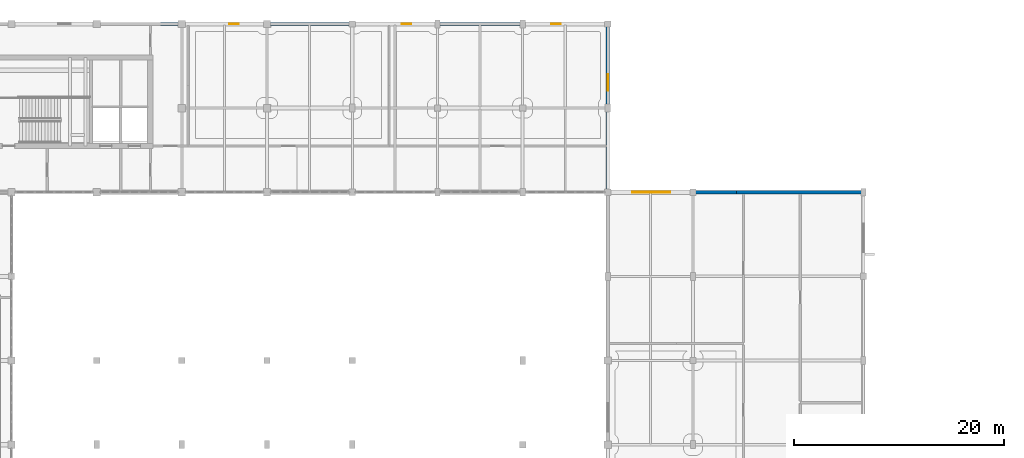
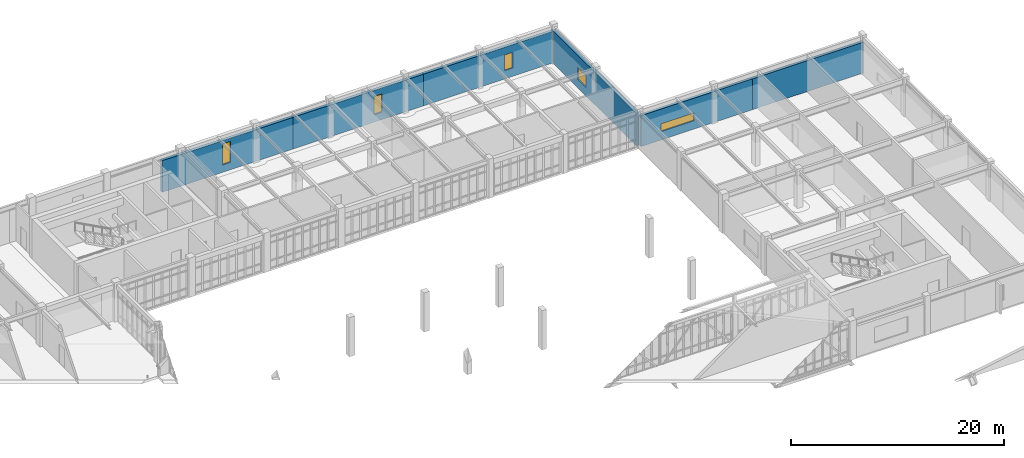
# One storey, part 54 of 67: 6 walls, 5 windows, 5 openings.
"""IFC4 building model written with IfcOpenShell, lengths in metres."""

from ifc_helpers import new_model, si_unit, direction, frame, frame_2d, origin, place, context, subcontext, project, spatial, rectangle, extrude, material, layer, layer_set, type_object, element, fill, save


model = new_model("IFC4")

# Units and contexts
model_context = context("Model", 3, precision=1e-05, world=origin(), true_north=direction((0.0, 1.0)))
body_context = subcontext(model_context, "Body", "Model", "MODEL_VIEW")
ifc_project = project(units=[si_unit("LENGTHUNIT", "METRE"), si_unit("AREAUNIT", "SQUARE_METRE"), si_unit("VOLUMEUNIT", "CUBIC_METRE"), si_unit("PLANEANGLEUNIT", "RADIAN"), si_unit("MASSUNIT", "GRAM", prefix="KILO")], contexts=[model_context])

# Site, building, storey
site_placement = place(None, origin())
site = spatial("IfcSite", under=ifc_project, at=site_placement, CompositionType="ELEMENT")
building_placement = place(site_placement, origin())
building = spatial("IfcBuilding", under=site, at=building_placement, Name="Tarnveldt Square Police Headquarters", CompositionType="ELEMENT")
storey_placement = place(building_placement, frame((0.0, 0.0, 10.199951171875)))
storey = spatial("IfcBuildingStorey", under=building, at=storey_placement, Name="L02", CompositionType="ELEMENT", Elevation=10.199951171875)

# Wall
ifc_material_1 = material(Name="Concrete 40 MPa", Category="concrete")
ifc_layer = layer(ifc_material_1, 0.320068359375)
ifc_layer_set = layer_set([ifc_layer], Name="Concrete 40 MPa")
wall_type = type_object("IfcWallType", Name="WL-EXT-BH320", PredefinedType="SOLIDWALL", material=ifc_layer_set)
wall_1_placement = place(storey_placement, frame((129.60009765625, 96.0, 0.0), z_axis=(0.0, 0.0, 1.0), x_axis=(-1.0, 0.0, 0.0)))
element("IfcWall", 1, at=wall_1_placement, inside=storey, type_object=wall_type, Name="L02 Brutalist Exterior Wall 0126", PredefinedType="SOLIDWALL", context=body_context, shape_type="SweptSolid", body=[
    extrude(rectangle(XDim=12.06005859375, YDim=0.320068359375, at=frame_2d((6.030029296875, 0.0))), origin(), (0.0, 0.0, 1.0), 3.5439453125),
])

# Wall, opening, window
wall_2_placement = place(storey_placement, frame((117.5400390625, 96.0, 0.0), z_axis=(0.0, 0.0, 1.0), x_axis=(-1.0, 0.0, 0.0)))
wall_2 = element("IfcWall", 2, at=wall_2_placement, inside=storey, type_object=wall_type, Name="L02 Brutalist Exterior Wall 0127", PredefinedType="SOLIDWALL", context=body_context, shape_type="SweptSolid", body=[
    extrude(rectangle(XDim=12.06005859375, YDim=0.320068359375, at=frame_2d((6.030029296875, 0.0))), origin(), (0.0, 0.0, 1.0), 3.5439453125),
])
opening_1_placement = place(wall_2_placement, frame((6.300048828125, 0.0, 0.949951171875)))
opening_1 = element("IfcOpeningElement", 3, at=opening_1_placement, cuts=wall_2, Name="Opening W23", PredefinedType="OPENING", context=body_context, shape_type="SweptSolid", body=[
    extrude(rectangle(XDim=3.60009765625, YDim=0.89990234375, at=frame_2d((1.800048828125, 0.449951171875))), frame((0.0, 0.169921875, 0.0), z_axis=(0.0, -1.0, 0.0), x_axis=(1.0, 0.0, 0.0)), (0.0, 0.0, 1.0), 0.340087890625),
])
ifc_material_2 = material(Name="Triple-glazed low-e laminated vision glass", Category="glass")
window_type_1 = type_object("IfcWindowType", Name="WIN-CLR-360x090", PartitioningType="TRIPLE_PANEL_VERTICAL", PredefinedType="WINDOW", material=ifc_material_2)
window_1_placement = place(opening_1_placement, origin())
window_1 = element("IfcWindow", 4, at=window_1_placement, inside=storey, type_object=window_type_1, Name="L02 Deep-Reveal Brutalist Window 0047", OverallHeight=0.89990234375, OverallWidth=3.60009765625, PartitioningType="TRIPLE_PANEL_VERTICAL", PredefinedType="WINDOW", context=body_context, shape_type="SweptSolid", body=[
    extrude(rectangle(XDim=3.60009765625, YDim=0.89990234375, at=frame_2d((1.800048828125, 0.449951171875))), frame((0.0, 0.030029296875, 0.0), z_axis=(0.0, -1.0, 0.0), x_axis=(1.0, 0.0, 0.0)), (0.0, 0.0, 1.0), 0.06005859375),
])
fill(opening_1, window_1)

wall_3_placement = place(storey_placement, frame((105.300048828125, 96.179931640625, 0.0), z_axis=(0.0, 0.0, 1.0), x_axis=(0.0, 1.0, 0.0)))
wall_3 = element("IfcWall", 5, at=wall_3_placement, inside=storey, type_object=wall_type, Name="L02 Brutalist Exterior Wall 0128", PredefinedType="SOLIDWALL", context=body_context, shape_type="SweptSolid", body=[
    extrude(rectangle(XDim=15.820068359375, YDim=0.320068359375, at=frame_2d((7.91015625, 0.0))), origin(), (0.0, 0.0, 1.0), 3.73193359375),
])
opening_2_placement = place(wall_3_placement, frame((9.449951171875, 0.0, 0.949951171875)))
opening_2 = element("IfcOpeningElement", 6, at=opening_2_placement, cuts=wall_3, Name="Opening W24", PredefinedType="OPENING", context=body_context, shape_type="SweptSolid", body=[
    extrude(rectangle(XDim=1.60009765625, YDim=1.39990234375, at=frame_2d((0.800048828125, 0.699951171875))), frame((0.0, 0.169921875, 0.0), z_axis=(0.0, -1.0, 0.0), x_axis=(1.0, 0.0, 0.0)), (0.0, 0.0, 1.0), 0.340087890625),
])
ifc_material_3 = material(Name="UL 752 Level III laminated ballistic vision glass", Category="glass")
window_type_2 = type_object("IfcWindowType", Name="WIN-BAL-160x140", PartitioningType="SINGLE_PANEL", PredefinedType="WINDOW", material=ifc_material_3)
window_2_placement = place(opening_2_placement, origin())
window_2 = element("IfcWindow", 7, at=window_2_placement, inside=storey, type_object=window_type_2, Name="L02 Deep-Reveal Brutalist Window 0048", OverallHeight=1.39990234375, OverallWidth=1.60009765625, PartitioningType="SINGLE_PANEL", PredefinedType="WINDOW", context=body_context, shape_type="SweptSolid", body=[
    extrude(rectangle(XDim=1.60009765625, YDim=1.39990234375, at=frame_2d((0.800048828125, 0.699951171875))), frame((0.0, 0.030029296875, 0.0), z_axis=(0.0, -1.0, 0.0), x_axis=(1.0, 0.0, 0.0)), (0.0, 0.0, 1.0), 0.06005859375),
])
fill(opening_2, window_2)

wall_4_placement = place(storey_placement, frame((105.300048828125, 112.0, 0.0), z_axis=(0.0, 0.0, 1.0), x_axis=(-1.0, 0.0, 0.0)))
wall_4 = element("IfcWall", 8, at=wall_4_placement, inside=storey, type_object=wall_type, Name="L02 Brutalist Exterior Wall 0129", PredefinedType="SOLIDWALL", context=body_context, shape_type="SweptSolid", body=[
    extrude(rectangle(XDim=14.175048828125, YDim=0.320068359375, at=frame_2d((7.08740234375, 0.0))), origin(), (0.0, 0.0, 1.0), 3.632080078125),
])
opening_3_placement = place(wall_4_placement, frame((4.5, 0.0, 0.949951171875)))
opening_3 = element("IfcOpeningElement", 9, at=opening_3_placement, cuts=wall_4, Name="Opening W01", PredefinedType="OPENING", context=body_context, shape_type="SweptSolid", body=[
    extrude(rectangle(XDim=0.89990234375, YDim=1.800048828125, at=frame_2d((0.449951171875, 0.89990234375))), frame((0.0, 0.169921875, 0.0), z_axis=(0.0, -1.0, 0.0), x_axis=(1.0, 0.0, 0.0)), (0.0, 0.0, 1.0), 0.340087890625),
])
window_type_3 = type_object("IfcWindowType", Name="WIN-DR-090x180", PartitioningType="SINGLE_PANEL", PredefinedType="WINDOW", material=ifc_material_2)
window_3_placement = place(opening_3_placement, origin())
window_3 = element("IfcWindow", 10, at=window_3_placement, inside=storey, type_object=window_type_3, Name="L02 Deep-Reveal Brutalist Window 0049", OverallHeight=1.800048828125, OverallWidth=0.89990234375, PartitioningType="SINGLE_PANEL", PredefinedType="WINDOW", context=body_context, shape_type="SweptSolid", body=[
    extrude(rectangle(XDim=0.89990234375, YDim=1.800048828125, at=frame_2d((0.449951171875, 0.89990234375))), frame((0.0, 0.030029296875, 0.0), z_axis=(0.0, -1.0, 0.0), x_axis=(1.0, 0.0, 0.0)), (0.0, 0.0, 1.0), 0.06005859375),
])
fill(opening_3, window_3)

wall_5_placement = place(storey_placement, frame((91.125, 112.0, 0.0), z_axis=(0.0, 0.0, 1.0), x_axis=(-1.0, 0.0, 0.0)))
wall_5 = element("IfcWall", 11, at=wall_5_placement, inside=storey, type_object=wall_type, Name="L02 Brutalist Exterior Wall 0130", PredefinedType="SOLIDWALL", context=body_context, shape_type="SweptSolid", body=[
    extrude(rectangle(XDim=14.175048828125, YDim=0.320068359375, at=frame_2d((7.08740234375, 0.0))), origin(), (0.0, 0.0, 1.0), 3.632080078125),
])
opening_4_placement = place(wall_5_placement, frame((4.5, 0.0, 0.85009765625)))
opening_4 = element("IfcOpeningElement", 12, at=opening_4_placement, cuts=wall_5, Name="Opening W02", PredefinedType="OPENING", context=body_context, shape_type="SweptSolid", body=[
    extrude(rectangle(XDim=0.89990234375, YDim=2.10009765625, at=frame_2d((0.449951171875, 1.050048828125))), frame((0.0, 0.169921875, 0.0), z_axis=(0.0, -1.0, 0.0), x_axis=(1.0, 0.0, 0.0)), (0.0, 0.0, 1.0), 0.340087890625),
])
window_type_4 = type_object("IfcWindowType", Name="WIN-DR-090x210", PartitioningType="SINGLE_PANEL", PredefinedType="WINDOW", material=ifc_material_2)
window_4_placement = place(opening_4_placement, origin())
window_4 = element("IfcWindow", 13, at=window_4_placement, inside=storey, type_object=window_type_4, Name="L02 Deep-Reveal Brutalist Window 0050", OverallHeight=2.10009765625, OverallWidth=0.89990234375, PartitioningType="SINGLE_PANEL", PredefinedType="WINDOW", context=body_context, shape_type="SweptSolid", body=[
    extrude(rectangle(XDim=0.89990234375, YDim=2.10009765625, at=frame_2d((0.449951171875, 1.050048828125))), frame((0.0, 0.030029296875, 0.0), z_axis=(0.0, -1.0, 0.0), x_axis=(1.0, 0.0, 0.0)), (0.0, 0.0, 1.0), 0.06005859375),
])
fill(opening_4, window_4)

wall_6_placement = place(storey_placement, frame((76.949951171875, 112.0, 0.0), z_axis=(0.0, 0.0, 1.0), x_axis=(-1.0, 0.0, 0.0)))
wall_6 = element("IfcWall", 14, at=wall_6_placement, inside=storey, type_object=wall_type, Name="L02 Brutalist Exterior Wall 0131", PredefinedType="SOLIDWALL", context=body_context, shape_type="SweptSolid", body=[
    extrude(rectangle(XDim=14.175048828125, YDim=0.320068359375, at=frame_2d((7.08740234375, 0.0))), origin(), (0.0, 0.0, 1.0), 3.632080078125),
])
opening_5_placement = place(wall_6_placement, frame((6.75, 0.0, 0.85009765625)))
opening_5 = element("IfcOpeningElement", 15, at=opening_5_placement, cuts=wall_6, Name="Opening W03", PredefinedType="OPENING", context=body_context, shape_type="SweptSolid", body=[
    extrude(rectangle(XDim=0.89990234375, YDim=2.39990234375, at=frame_2d((0.449951171875, 1.199951171875))), frame((0.0, 0.169921875, 0.0), z_axis=(0.0, -1.0, 0.0), x_axis=(1.0, 0.0, 0.0)), (0.0, 0.0, 1.0), 0.340087890625),
])
window_type_5 = type_object("IfcWindowType", Name="WIN-DR-090x240", PartitioningType="DOUBLE_PANEL_HORIZONTAL", PredefinedType="WINDOW", material=ifc_material_2)
window_5_placement = place(opening_5_placement, origin())
window_5 = element("IfcWindow", 16, at=window_5_placement, inside=storey, type_object=window_type_5, Name="L02 Deep-Reveal Brutalist Window 0051", OverallHeight=2.39990234375, OverallWidth=0.89990234375, PartitioningType="DOUBLE_PANEL_HORIZONTAL", PredefinedType="WINDOW", context=body_context, shape_type="SweptSolid", body=[
    extrude(rectangle(XDim=0.89990234375, YDim=2.39990234375, at=frame_2d((0.449951171875, 1.199951171875))), frame((0.0, 0.030029296875, 0.0), z_axis=(0.0, -1.0, 0.0), x_axis=(1.0, 0.0, 0.0)), (0.0, 0.0, 1.0), 0.06005859375),
])
fill(opening_5, window_5)

save(model, "model.ifc")
